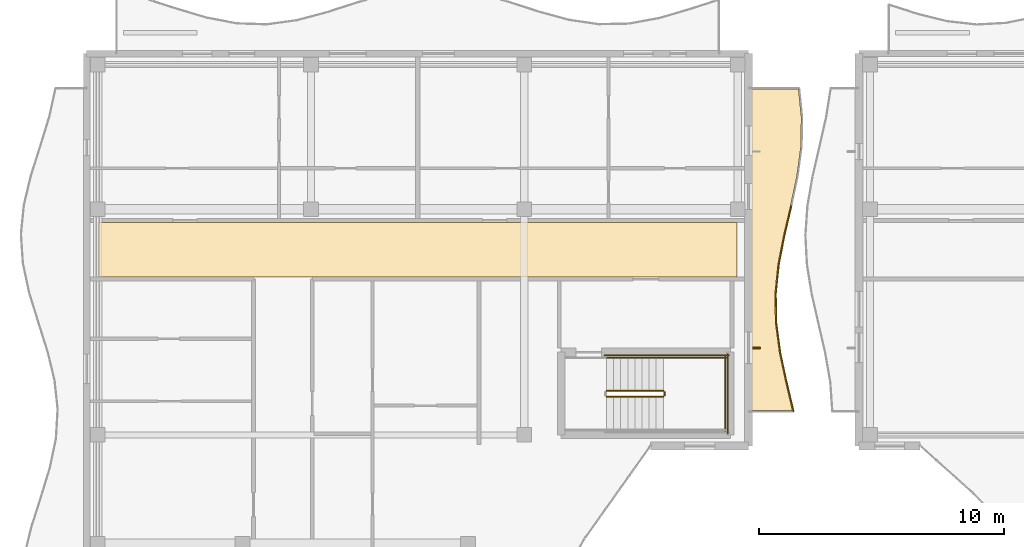
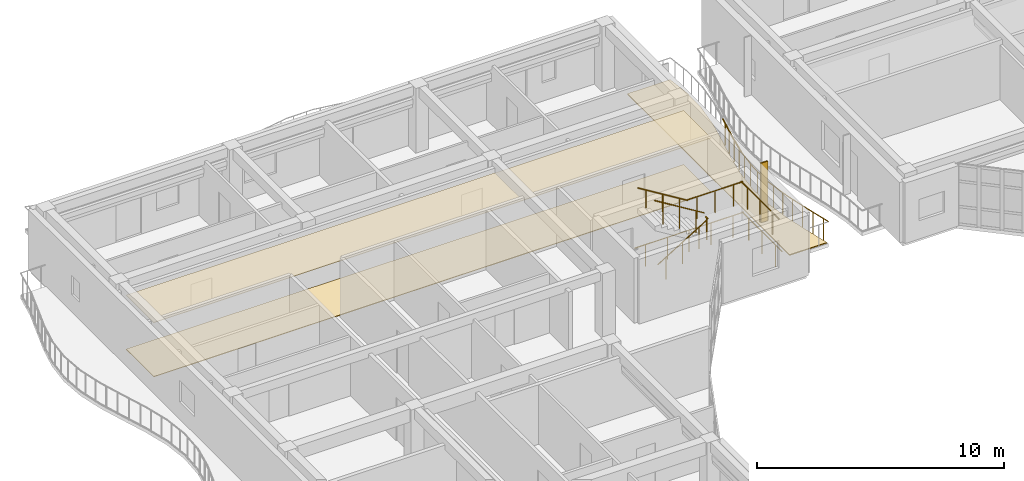
# One storey, part 57 of 76: 15 railings, 3 coverings, 1 shading device.
"""IFC4 building model written with IfcOpenShell, lengths in metres."""

from ifc_helpers import new_model, si_unit, direction, frame, origin, origin_2d, place, context, subcontext, project, spatial, polyline, rectangle, circle, outline, extrude, material, layer, layer_set, type_object, element, save


model = new_model("IFC4")

# Units and contexts
model_context = context("Model", 3, precision=1e-05, world=origin(), true_north=direction((0.0, 1.0)))
body_context = subcontext(model_context, "Body", "Model", "MODEL_VIEW")
ifc_project = project(units=[si_unit("LENGTHUNIT", "METRE"), si_unit("AREAUNIT", "SQUARE_METRE"), si_unit("VOLUMEUNIT", "CUBIC_METRE"), si_unit("PLANEANGLEUNIT", "RADIAN"), si_unit("MASSUNIT", "GRAM", prefix="KILO")], contexts=[model_context])

# Site, building, storey
site_placement = place(None, origin())
site = spatial("IfcSite", under=ifc_project, at=site_placement, CompositionType="ELEMENT")
building_placement = place(site_placement, origin())
building = spatial("IfcBuilding", under=site, at=building_placement, Name="Keldmere Railside Commons", CompositionType="ELEMENT")
storey_placement = place(building_placement, frame((0.0, 0.0, 13.760009765625)))
storey = spatial("IfcBuildingStorey", under=building, at=storey_placement, Name="L04", CompositionType="ELEMENT", Elevation=13.760009765625)

# Railings
ifc_material_1 = material(Name="Steel F-24 (S235)", Category="steel")
railing_type_1 = type_object("IfcRailingType", Name="Balcony & Terrace Steel Balustrade 1100", PredefinedType="BALUSTRADE", material=ifc_material_1)
railing_1_placement = place(storey_placement, frame((36.834228515625, 101.39990234375, 0.0)))
element("IfcRailing", 1, at=railing_1_placement, inside=storey, type_object=railing_type_1, Name="GR-1 GRD-L04-0478", PredefinedType="BALUSTRADE", context=body_context, shape_type="SweptSolid", body=[
    extrude(circle(Radius=0.02392578125, at=origin_2d()), frame((0.0, 0.0, 1.076171875), z_axis=(-0.230219746073, 0.973138668699, 0.0), x_axis=(-0.973138668699, -0.230219746073, 0.0)), (0.0, 0.0, 1.0), 1.2333984375),
    extrude(circle(Radius=0.02099609375, at=origin_2d()), frame((-0.071044921875, 0.300048828125, 0.0)), (0.0, 0.0, 1.0), 1.048095703125),
    extrude(circle(Radius=0.02099609375, at=origin_2d()), frame((-0.212890625, 0.900146484375, 0.0)), (0.0, 0.0, 1.0), 1.048095703125),
])
railing_2_placement = place(storey_placement, frame((36.55029296875, 102.60009765625, 0.0)))
element("IfcRailing", 2, at=railing_2_placement, inside=storey, type_object=railing_type_1, Name="GR-1 GRD-L04-0479", PredefinedType="BALUSTRADE", context=body_context, shape_type="SweptSolid", body=[
    extrude(circle(Radius=0.02392578125, at=origin_2d()), frame((0.0, 0.0, 1.076171875), z_axis=(-0.209488329232, 0.977811147367, 0.0), x_axis=(-0.977811147367, -0.209488329232, 0.0)), (0.0, 0.0, 1.0), 1.227294921875),
    extrude(circle(Radius=0.02099609375, at=origin_2d()), frame((-0.064208984375, 0.300048828125, 0.0)), (0.0, 0.0, 1.0), 1.048095703125),
    extrude(circle(Radius=0.02099609375, at=origin_2d()), frame((-0.19287109375, 0.89990234375, 0.0)), (0.0, 0.0, 1.0), 1.048095703125),
])
railing_3_placement = place(storey_placement, frame((36.293212890625, 103.800048828125, 0.0)))
element("IfcRailing", 3, at=railing_3_placement, inside=storey, type_object=railing_type_1, Name="GR-1 GRD-L04-0480", PredefinedType="BALUSTRADE", context=body_context, shape_type="SweptSolid", body=[
    extrude(circle(Radius=0.02392578125, at=origin_2d()), frame((0.0, 0.0, 1.076171875), z_axis=(-0.133286322668, 0.991077573245, 0.0), x_axis=(-0.991077573245, -0.133286322668, 0.0)), (0.0, 0.0, 1.0), 1.210693359375),
    extrude(circle(Radius=0.02099609375, at=origin_2d()), frame((-0.040283203125, 0.300048828125, 0.0)), (0.0, 0.0, 1.0), 1.048095703125),
    extrude(circle(Radius=0.02099609375, at=origin_2d()), frame((-0.12109375, 0.89990234375, 0.0)), (0.0, 0.0, 1.0), 1.048095703125),
])
railing_4_placement = place(storey_placement, frame((36.1318359375, 105.0, 0.0)))
element("IfcRailing", 4, at=railing_4_placement, inside=storey, type_object=railing_type_1, Name="GR-1 GRD-L04-0481", PredefinedType="BALUSTRADE", context=body_context, shape_type="SweptSolid", body=[
    extrude(circle(Radius=0.02392578125, at=origin_2d()), frame((0.0, 0.0, 1.076171875), z_axis=(-0.018918282013, 0.999821033288, 0.0), x_axis=(-0.999821033288, -0.018918282013, 0.0)), (0.0, 0.0, 1.0), 1.2001953125),
    extrude(circle(Radius=0.02099609375, at=origin_2d()), frame((-0.005615234375, 0.300048828125, 0.0)), (0.0, 0.0, 1.0), 1.048095703125),
    extrude(circle(Radius=0.02099609375, at=origin_2d()), frame((-0.01708984375, 0.89990234375, 0.0)), (0.0, 0.0, 1.0), 1.048095703125),
])
railing_5_placement = place(storey_placement, frame((36.109130859375, 106.199951171875, 0.0)))
element("IfcRailing", 5, at=railing_5_placement, inside=storey, type_object=railing_type_1, Name="GR-1 GRD-L04-0482", PredefinedType="BALUSTRADE", context=body_context, shape_type="SweptSolid", body=[
    extrude(circle(Radius=0.02392578125, at=origin_2d()), frame((0.0, 0.0, 1.076171875), z_axis=(0.101207058345, 0.994865383527, 0.0), x_axis=(-0.994865383527, 0.101207058345, 0.0)), (0.0, 0.0, 1.0), 1.2060546875),
    extrude(circle(Radius=0.02099609375, at=origin_2d()), frame((0.030517578125, 0.300048828125, 0.0)), (0.0, 0.0, 1.0), 1.048095703125),
    extrude(circle(Radius=0.02099609375, at=origin_2d()), frame((0.091552734375, 0.89990234375, 0.0)), (0.0, 0.0, 1.0), 1.048095703125),
])
railing_6_placement = place(storey_placement, frame((36.231201171875, 107.39990234375, 0.0)))
element("IfcRailing", 6, at=railing_6_placement, inside=storey, type_object=railing_type_1, Name="GR-1 GRD-L04-0483", PredefinedType="BALUSTRADE", context=body_context, shape_type="SweptSolid", body=[
    extrude(circle(Radius=0.02392578125, at=origin_2d()), frame((0.0, 0.0, 1.076171875), z_axis=(0.191852765272, 0.981423719123, 0.0), x_axis=(-0.981423719123, 0.191852765272, 0.0)), (0.0, 0.0, 1.0), 1.222900390625),
    extrude(circle(Radius=0.02099609375, at=origin_2d()), frame((0.05859375, 0.300048828125, 0.0)), (0.0, 0.0, 1.0), 1.048095703125),
    extrude(circle(Radius=0.02099609375, at=origin_2d()), frame((0.176025390625, 0.900146484375, 0.0)), (0.0, 0.0, 1.0), 1.048095703125),
])
railing_7_placement = place(storey_placement, frame((36.4658203125, 108.60009765625, 0.0)))
element("IfcRailing", 7, at=railing_7_placement, inside=storey, type_object=railing_type_1, Name="GR-1 GRD-L04-0484", PredefinedType="BALUSTRADE", context=body_context, shape_type="SweptSolid", body=[
    extrude(circle(Radius=0.02392578125, at=origin_2d()), frame((0.0, 0.0, 1.076171875), z_axis=(0.230076596512, 0.973172523111, 0.0), x_axis=(-0.973172523111, 0.230076596512, 0.0)), (0.0, 0.0, 1.0), 1.23291015625),
    extrude(circle(Radius=0.02099609375, at=origin_2d()), frame((0.07080078125, 0.300048828125, 0.0)), (0.0, 0.0, 1.0), 1.048095703125),
    extrude(circle(Radius=0.02099609375, at=origin_2d()), frame((0.212890625, 0.89990234375, 0.0)), (0.0, 0.0, 1.0), 1.048095703125),
])

# Shading device
ifc_layer_1 = layer(ifc_material_1, 0.06005859375, Name="East-West Vertical Brise-Soleil Fin 320x60")
ifc_layer_set_1 = layer_set([ifc_layer_1], Name="Steel F-24 (S235)")
shading_device_type = type_object("IfcShadingDeviceType", Name="East-West Vertical Brise-Soleil Fin 320x60", PredefinedType="USERDEFINED", material=ifc_layer_set_1)
shading_device_placement = place(storey_placement, frame((35.318115234375, 104.0, 0.0), z_axis=(0.0, 0.0, 1.0), x_axis=(1.0, 0.0, 0.0)))
element("IfcShadingDevice", 8, at=shading_device_placement, inside=storey, type_object=shading_device_type, Name="FIN-1 Solar Fin 004", ObjectType="FIN", PredefinedType="USERDEFINED", context=body_context, shape_type="SweptSolid", body=[
    extrude(rectangle(XDim=0.320068359375, YDim=0.06005859375, at=origin_2d()), origin(), (0.0, 0.0, 1.0), 2.97998046875),
])

# Covering
ifc_material_2 = material(Name="Polished Terrazzo Tile Flooring", Category="concrete")
ifc_layer_2 = layer(ifc_material_2, 0.030029296875, Name="Polished Terrazzo Floor Finish 30")
ifc_layer_set_2 = layer_set([ifc_layer_2], Name="Polished Terrazzo Tile Flooring")
covering_type_1 = type_object("IfcCoveringType", Name="Polished Terrazzo Floor Finish 30", PredefinedType="FLOORING", material=ifc_layer_set_2)
covering_1_placement = place(storey_placement, origin())
element("IfcCovering", 9, at=covering_1_placement, inside=storey, type_object=covering_type_1, Name="FLR-1 Corridor Terrazzo D-L04", PredefinedType="FLOORING", context=body_context, shape_type="SweptSolid", body=[
    extrude(outline(polyline([(8.47998046875, 106.8798828125), (34.52001953125, 106.8798828125), (34.52001953125, 109.1201171875), (8.47998046875, 109.1201171875), (8.47998046875, 106.8798828125)])), origin(), (0.0, 0.0, 1.0), 0.030029296875),
])

# Railings
railing_type_2 = type_object("IfcRailingType", Name="Stair Well Steel Guardrail 1100", PredefinedType="BALUSTRADE", material=ifc_material_1)
railing_8_placement = place(storey_placement, frame((29.199951171875, 102.0, 0.177734375)))
element("IfcRailing", 10, at=railing_8_placement, inside=storey, type_object=railing_type_2, Name="L04 ST-D2 stair guard 1", PredefinedType="BALUSTRADE", context=body_context, shape_type="SweptSolid", body=[
    extrude(circle(Radius=0.02392578125, at=origin_2d()), frame((0.0, 0.0, 1.076171875), z_axis=(0.852538067394, 0.0, 0.522665135287), x_axis=(0.0, 1.0, 0.0)), (0.0, 0.0, 1.0), 2.721435546875),
    extrude(circle(Radius=0.02099609375, at=origin_2d()), frame((0.38671875, 0.0, 0.237060546875)), (0.0, 0.0, 1.0), 1.048095703125),
    extrude(circle(Radius=0.02099609375, at=origin_2d()), frame((1.16015625, 0.0, 0.711181640625)), (0.0, 0.0, 1.0), 1.048095703125),
    extrude(circle(Radius=0.02099609375, at=origin_2d()), frame((1.933349609375, 0.0, 1.185302734375)), (0.0, 0.0, 1.0), 1.048095703125),
])
railing_9_placement = place(storey_placement, frame((31.570068359375, 102.050048828125, 1.60009765625)))
element("IfcRailing", 11, at=railing_9_placement, inside=storey, type_object=railing_type_2, Name="L04 ST-D2 stair guard 2", PredefinedType="BALUSTRADE", context=body_context, shape_type="SweptSolid", body=[
    extrude(circle(Radius=0.02392578125, at=origin_2d()), frame((0.0, 0.0, 1.076171875), z_axis=(0.0, 1.0, 0.0), x_axis=(-1.0, 0.0, 0.0)), (0.0, 0.0, 1.0), 0.14990234375),
    extrude(circle(Radius=0.02099609375, at=origin_2d()), frame((0.0, 0.074951171875, 0.0)), (0.0, 0.0, 1.0), 1.048095703125),
])
railing_10_placement = place(storey_placement, frame((31.52001953125, 103.60009765625, 1.60009765625)))
element("IfcRailing", 12, at=railing_10_placement, inside=storey, type_object=railing_type_2, Name="L04 ST-D2 stair guard 4", PredefinedType="BALUSTRADE", context=body_context, shape_type="SweptSolid", body=[
    extrude(circle(Radius=0.02392578125, at=origin_2d()), frame((0.0, 0.0, 1.076171875), z_axis=(1.0, 0.0, 0.0), x_axis=(0.0, 1.0, 0.0)), (0.0, 0.0, 1.0), 2.580078125),
    extrude(circle(Radius=0.02099609375, at=origin_2d()), frame((0.429931640625, 0.0, 0.0)), (0.0, 0.0, 1.0), 1.048095703125),
    extrude(circle(Radius=0.02099609375, at=origin_2d()), frame((1.2900390625, 0.0, 0.0)), (0.0, 0.0, 1.0), 1.048095703125),
    extrude(circle(Radius=0.02099609375, at=origin_2d()), frame((2.150146484375, 0.0, 0.0)), (0.0, 0.0, 1.0), 1.048095703125),
])
railing_11_placement = place(storey_placement, frame((34.050048828125, 100.60009765625, 1.60009765625)))
element("IfcRailing", 13, at=railing_11_placement, inside=storey, type_object=railing_type_2, Name="L04 ST-D2 stair guard 5", PredefinedType="BALUSTRADE", context=body_context, shape_type="SweptSolid", body=[
    extrude(circle(Radius=0.02392578125, at=origin_2d()), frame((0.0, 0.0, 1.076171875), z_axis=(0.0, 1.0, 0.0), x_axis=(-1.0, 0.0, 0.0)), (0.0, 0.0, 1.0), 3.0498046875),
    extrude(circle(Radius=0.02099609375, at=origin_2d()), frame((0.0, 0.50830078125, 0.0)), (0.0, 0.0, 1.0), 1.048095703125),
    extrude(circle(Radius=0.02099609375, at=origin_2d()), frame((0.0, 1.52490234375, 0.0)), (0.0, 0.0, 1.0), 1.048095703125),
    extrude(circle(Radius=0.02099609375, at=origin_2d()), frame((0.0, 2.54150390625, 0.0)), (0.0, 0.0, 1.0), 1.048095703125),
])
railing_12_placement = place(storey_placement, frame((31.52001953125, 102.25, 1.77783203125)))
element("IfcRailing", 14, at=railing_12_placement, inside=storey, type_object=railing_type_2, Name="L04 ST-D2 stair guard 6", PredefinedType="BALUSTRADE", context=body_context, shape_type="SweptSolid", body=[
    extrude(circle(Radius=0.02392578125, at=origin_2d()), frame((0.0, 0.0, 1.076171875), z_axis=(-0.852578041948, 0.0, 0.522599925744), x_axis=(0.0, -1.0, 0.0)), (0.0, 0.0, 1.0), 2.72119140625),
    extrude(circle(Radius=0.02099609375, at=origin_2d()), frame((-0.38671875, 0.0, 0.237060546875)), (0.0, 0.0, 1.0), 1.048095703125),
    extrude(circle(Radius=0.02099609375, at=origin_2d()), frame((-1.16015625, 0.0, 0.7109375)), (0.0, 0.0, 1.0), 1.048095703125),
    extrude(circle(Radius=0.02099609375, at=origin_2d()), frame((-1.933349609375, 0.0, 1.18505859375)), (0.0, 0.0, 1.0), 1.048095703125),
])
railing_13_placement = place(storey_placement, frame((29.10009765625, 103.699951171875, 0.0)))
element("IfcRailing", 15, at=railing_13_placement, inside=storey, type_object=railing_type_2, Name="L04 ST-D2 stair guard 11", PredefinedType="BALUSTRADE", context=body_context, shape_type="SweptSolid", body=[
    extrude(circle(Radius=0.02392578125, at=origin_2d()), frame((0.0, 0.0, 1.076171875), z_axis=(1.0, 0.0, 0.0), x_axis=(0.0, 1.0, 0.0)), (0.0, 0.0, 1.0), 5.099853515625),
    extrude(circle(Radius=0.02099609375, at=origin_2d()), frame((0.510009765625, 0.0, 0.0)), (0.0, 0.0, 1.0), 1.048095703125),
    extrude(circle(Radius=0.02099609375, at=origin_2d()), frame((1.530029296875, 0.0, 0.0)), (0.0, 0.0, 1.0), 1.048095703125),
    extrude(circle(Radius=0.02099609375, at=origin_2d()), frame((2.5498046875, 0.0, 0.0)), (0.0, 0.0, 1.0), 1.048095703125),
    extrude(circle(Radius=0.02099609375, at=origin_2d()), frame((3.56982421875, 0.0, 0.0)), (0.0, 0.0, 1.0), 1.048095703125),
    extrude(circle(Radius=0.02099609375, at=origin_2d()), frame((4.58984375, 0.0, 0.0)), (0.0, 0.0, 1.0), 1.048095703125),
])
railing_14_placement = place(storey_placement, frame((34.14990234375, 100.5, 0.0)))
element("IfcRailing", 16, at=railing_14_placement, inside=storey, type_object=railing_type_2, Name="L04 ST-D2 stair guard 12", PredefinedType="BALUSTRADE", context=body_context, shape_type="SweptSolid", body=[
    extrude(circle(Radius=0.02392578125, at=origin_2d()), frame((0.0, 0.0, 1.076171875), z_axis=(0.0, 1.0, 0.0), x_axis=(-1.0, 0.0, 0.0)), (0.0, 0.0, 1.0), 3.25),
    extrude(circle(Radius=0.02099609375, at=origin_2d()), frame((0.0, 0.541748046875, 0.0)), (0.0, 0.0, 1.0), 1.048095703125),
    extrude(circle(Radius=0.02099609375, at=origin_2d()), frame((0.0, 1.625, 0.0)), (0.0, 0.0, 1.0), 1.048095703125),
    extrude(circle(Radius=0.02099609375, at=origin_2d()), frame((0.0, 2.708251953125, 0.0)), (0.0, 0.0, 1.0), 1.048095703125),
])

# Covering
ifc_material_3 = material(Name="Acoustic Mineral-Fibre Gypsum Ceiling", Category="gypsum")
ifc_layer_3 = layer(ifc_material_3, 0.02490234375, Name="Suspended Acoustic Ceiling 25")
ifc_layer_set_3 = layer_set([ifc_layer_3], Name="Acoustic Mineral-Fibre Gypsum Ceiling")
covering_type_2 = type_object("IfcCoveringType", Name="Suspended Acoustic Ceiling 25", PredefinedType="CEILING", material=ifc_layer_set_3)
covering_2_placement = place(storey_placement, frame((0.0, 0.0, 2.675048828125)))
element("IfcCovering", 17, at=covering_2_placement, inside=storey, type_object=covering_type_2, Name="CLG-1 Corridor Ceiling D-L04", PredefinedType="CEILING", context=body_context, shape_type="SweptSolid", body=[
    extrude(outline(polyline([(8.47998046875, 106.8798828125), (34.52001953125, 106.8798828125), (34.52001953125, 109.1201171875), (8.47998046875, 109.1201171875), (8.47998046875, 106.8798828125)])), origin(), (0.0, 0.0, 1.0), 0.02490234375),
])

# Railing
railing_type_3 = type_object("IfcRailingType", Name="Wall-Mounted Tubular Steel Handrail 900", PredefinedType="HANDRAIL", material=ifc_material_1)
railing_15_placement = place(storey_placement, frame((31.52001953125, 103.60009765625, 1.77783203125)))
element("IfcRailing", 18, at=railing_15_placement, inside=storey, type_object=railing_type_3, Name="L04 ST-D2 stair handrail 2", PredefinedType="HANDRAIL", context=body_context, shape_type="SweptSolid", body=[
    extrude(circle(Radius=0.02392578125, at=origin_2d()), frame((0.0, 0.0, 0.8759765625), z_axis=(-0.852578041948, 0.0, 0.522599925744), x_axis=(0.0, -1.0, 0.0)), (0.0, 0.0, 1.0), 2.72119140625),
    extrude(circle(Radius=0.02099609375, at=origin_2d()), frame((-0.38671875, 0.0, 0.237060546875)), (0.0, 0.0, 1.0), 0.847900390625),
    extrude(circle(Radius=0.02099609375, at=origin_2d()), frame((-1.16015625, 0.0, 0.7109375)), (0.0, 0.0, 1.0), 0.847900390625),
    extrude(circle(Radius=0.02099609375, at=origin_2d()), frame((-1.933349609375, 0.0, 1.18505859375)), (0.0, 0.0, 1.0), 0.847900390625),
])

# Covering
ifc_material_4 = material(Name="White Precast Concrete C35/45", Category="concrete")
ifc_layer_4 = layer(ifc_material_4, 0.044921875, Name="White Architectural Balcony Ribbon Cladding 45")
ifc_layer_set_4 = layer_set([ifc_layer_4], Name="White Precast Concrete C35/45")
covering_type_3 = type_object("IfcCoveringType", Name="White Architectural Balcony Ribbon Cladding 45", PredefinedType="FLOORING", material=ifc_layer_set_4)
covering_3_placement = place(storey_placement, origin())
element("IfcCovering", 19, at=covering_3_placement, inside=storey, type_object=covering_type_3, Name="CLG-WB D L04 WE White Balcony Ribbon", PredefinedType="FLOORING", context=body_context, shape_type="SweptSolid", body=[
    extrude(outline(polyline([(36.511474609375, 102.5908203125), (36.51123046875, 102.591552734375), (36.254150390625, 103.79150390625), (36.253662109375, 103.794677734375), (36.09228515625, 104.99462890625), (36.091796875, 104.999267578125), (36.069091796875, 106.19921875), (36.0693359375, 106.2041015625), (36.19140625, 107.404052734375), (36.19189453125, 107.40771484375), (36.426513671875, 108.607666015625), (36.427001953125, 108.609130859375), (36.710693359375, 109.808837890625), (36.96728515625, 111.0068359375), (37.12841796875, 112.203125), (37.15087890625, 113.398193359375), (37.03271484375, 114.56005859375), (35.0400390625, 114.56005859375), (35.0400390625, 101.43994140625), (36.78369140625, 101.43994140625), (36.511474609375, 102.5908203125)])), origin(), (0.0, 0.0, 1.0), 0.044921875),
])

save(model, "model.ifc")
